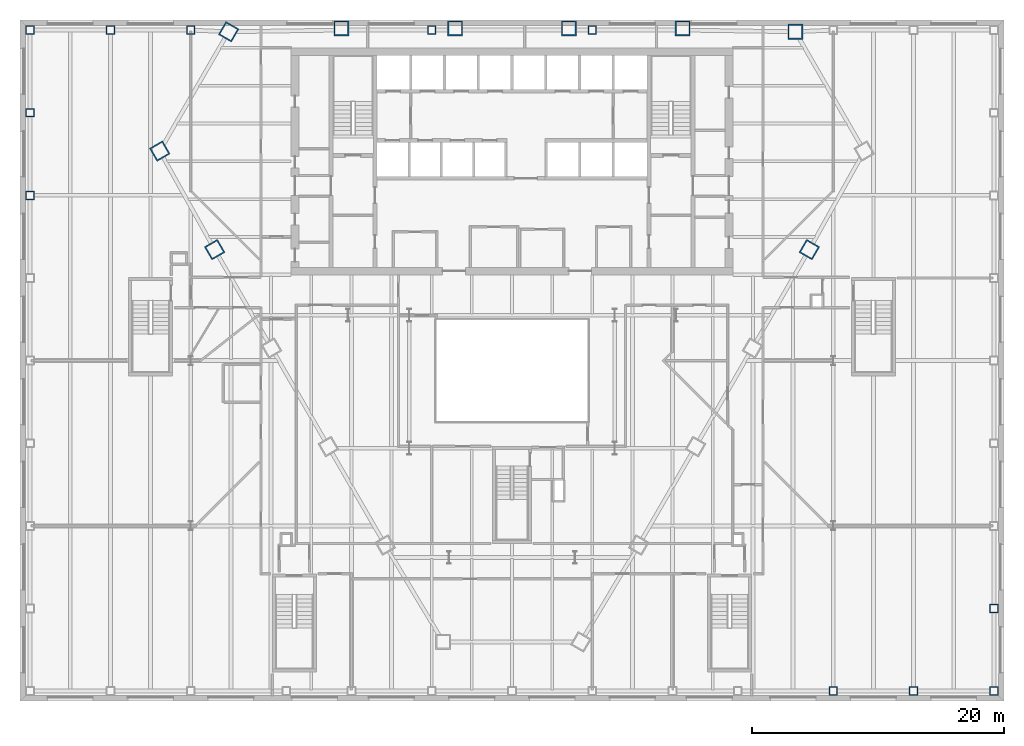
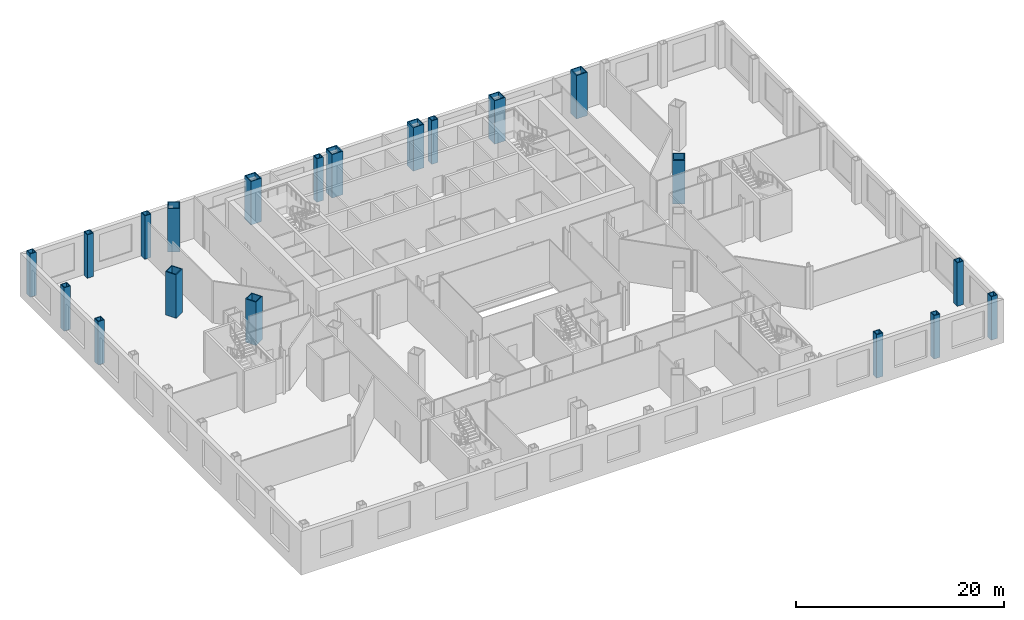
# One storey, part 2 of 21: 20 columns.
"""IFC4 building model written with IfcOpenShell, lengths in metres."""

from ifc_helpers import new_model, si_unit, direction, frame, origin, origin_2d, place, context, subcontext, project, spatial, hollow_rectangle, extrude, material, material_profile, profile_set, type_object, element, save


model = new_model("IFC4")

# Units and contexts
model_context = context("Model", 3, precision=1e-05, world=origin(), true_north=direction((0.0, 1.0)))
body_context = subcontext(model_context, "Body", "Model", "MODEL_VIEW")
ifc_project = project(units=[si_unit("LENGTHUNIT", "METRE"), si_unit("AREAUNIT", "SQUARE_METRE"), si_unit("VOLUMEUNIT", "CUBIC_METRE"), si_unit("PLANEANGLEUNIT", "RADIAN"), si_unit("MASSUNIT", "GRAM", prefix="KILO")], contexts=[model_context])

# Site, building, storey
site_placement = place(None, origin())
site = spatial("IfcSite", under=ifc_project, at=site_placement, CompositionType="ELEMENT")
building_placement = place(site_placement, origin())
building = spatial("IfcBuilding", under=site, at=building_placement, Name="Njiva Tower", CompositionType="ELEMENT")
storey_placement = place(building_placement, frame((0.0, 0.0, 13.5)))
storey = spatial("IfcBuildingStorey", under=building, at=storey_placement, Name="L02", CompositionType="ELEMENT", Elevation=13.5)

# Columns
ifc_material = material(Name="Steel S355 J2", Category="steel")
ifc_material_profile_1 = material_profile(ifc_material, hollow_rectangle(XDim=1.2, YDim=1.2, WallThickness=0.1, at=origin_2d()), Name="BOX 1200x1200x100")
ifc_profile_set_1 = profile_set([ifc_material_profile_1], Name="Steel S355 J2")
column_type_1 = type_object("IfcColumnType", Name="C1 Mega-column BOX 1200x1200x100", PredefinedType="COLUMN", material=ifc_profile_set_1)
for number, where, z_axis, x_axis, name in (
    (1, (22.461, 19.267, 0.0), (0.0, 0.0, 1.0), (-1.0, 0.0, 0.0), "Mega-column L02-C01"),
    (2, (13.523, 19.54, 0.0), (0.0, 0.0, 1.0), (-1.0, 0.0, 0.0), "Mega-column L02-C02"),
    (3, (4.508, 19.54, 0.0), (0.0, 0.0, 1.0), (-1.0, 0.0, 0.0), "Mega-column L02-C03"),
    (4, (-4.508, 19.54, 0.0), (0.0, 0.0, 1.0), (-1.0, 0.0, 0.0), "Mega-column L02-C04"),
    (5, (-13.523, 19.54, 0.0), (0.0, 0.0, 1.0), (-1.0, 0.0, 0.0), "Mega-column L02-C05"),
    (6, (-22.461, 19.267, 0.0), (0.0, 0.0, 1.0), (-0.5, -0.866025403784, 0.0), "Mega-column L02-C06"),
    (7, (-27.923, 9.808, 0.0), (0.0, 0.0, 1.0), (0.5, -0.866025403784, 0.0), "Mega-column L02-C07"),
    (8, (-23.569, 2.0, 0.0), (0.0, 0.0, 1.0), (0.5, -0.866025403784, 0.0), "Mega-column L02-C08"),
    (9, (23.569, 2.0, 0.0), (0.0, 0.0, 1.0), (0.5, 0.866025403784, 0.0), "Mega-column L02-C17"),
):
    element("IfcColumn", number, at=place(storey_placement, frame(where, z_axis=z_axis, x_axis=x_axis)), inside=storey, type_object=column_type_1, Name=name, PredefinedType="COLUMN", context=body_context, shape_type="SweptSolid", body=[
        extrude(hollow_rectangle(XDim=1.2, YDim=1.2, WallThickness=0.1, at=origin_2d()), origin(), (0.0, 0.0, 1.0), 5.1),
    ])
ifc_material_profile_2 = material_profile(ifc_material, hollow_rectangle(XDim=0.7, YDim=0.7, WallThickness=0.08, at=origin_2d()), Name="BOX 700x700x80")
ifc_profile_set_2 = profile_set([ifc_material_profile_2], Name="Steel S355 J2")
column_type_2 = type_object("IfcColumnType", Name="C3 Podium perimeter column BOX 700x700x80", PredefinedType="COLUMN", material=ifc_profile_set_2)
for number, where, z_axis, x_axis, name in (
    (10, (38.2, -33.0, 0.0), (0.0, 0.0, 1.0), (0.0, 1.0, 0.0), "Podium perimeter column L02-C27"),
    (11, (38.2, -26.45, 0.0), (0.0, 0.0, 1.0), (0.0, 1.0, 0.0), "Podium perimeter column L02-C28"),
    (12, (6.367, 19.4, 0.0), (0.0, 0.0, 1.0), (-1.0, 0.0, 0.0), "Podium perimeter column L02-C38"),
    (13, (-6.367, 19.4, 0.0), (0.0, 0.0, 1.0), (-1.0, 0.0, 0.0), "Podium perimeter column L02-C39"),
    (14, (-25.467, 19.4, 0.0), (0.0, 0.0, 1.0), (-1.0, 0.0, 0.0), "Podium perimeter column L02-C40"),
    (15, (-31.833, 19.4, 0.0), (0.0, 0.0, 1.0), (-1.0, 0.0, 0.0), "Podium perimeter column L02-C41"),
    (16, (-38.2, 19.4, 0.0), (0.0, 0.0, 1.0), (0.0, -1.0, 0.0), "Podium perimeter column L02-C42"),
    (17, (-38.2, 12.85, 0.0), (0.0, 0.0, 1.0), (0.0, -1.0, 0.0), "Podium perimeter column L02-C43"),
    (18, (-38.2, 6.3, 0.0), (0.0, 0.0, 1.0), (0.0, -1.0, 0.0), "Podium perimeter column L02-C44"),
    (19, (25.467, -33.0, 0.0), (0.0, 0.0, 1.0), (1.0, 0.0, 0.0), "Podium perimeter column L02-C60"),
    (20, (31.833, -33.0, 0.0), (0.0, 0.0, 1.0), (1.0, 0.0, 0.0), "Podium perimeter column L02-C61"),
):
    element("IfcColumn", number, at=place(storey_placement, frame(where, z_axis=z_axis, x_axis=x_axis)), inside=storey, type_object=column_type_2, Name=name, PredefinedType="COLUMN", context=body_context, shape_type="SweptSolid", body=[
        extrude(hollow_rectangle(XDim=0.7, YDim=0.7, WallThickness=0.08, at=origin_2d()), origin(), (0.0, 0.0, 1.0), 5.1),
    ])

save(model, "model.ifc")
